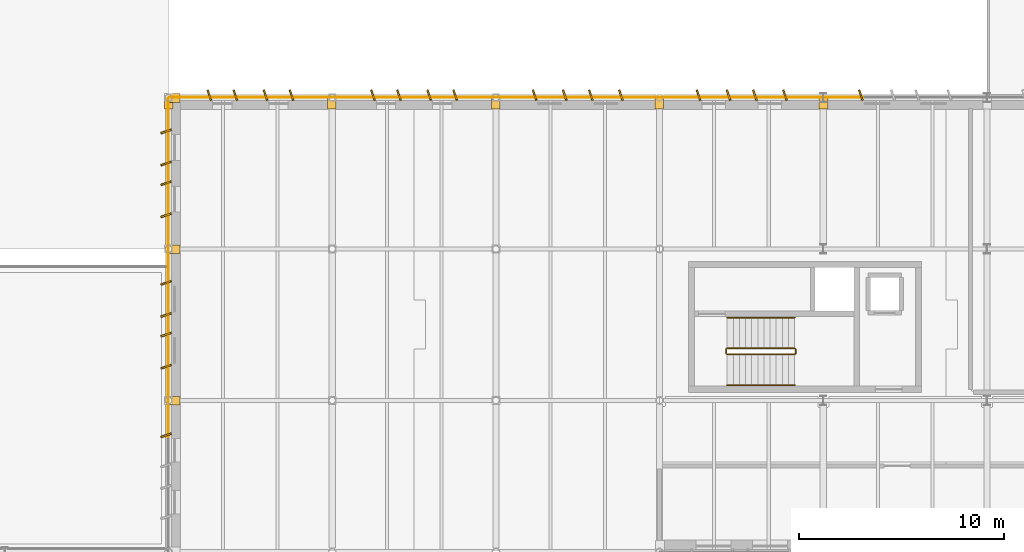
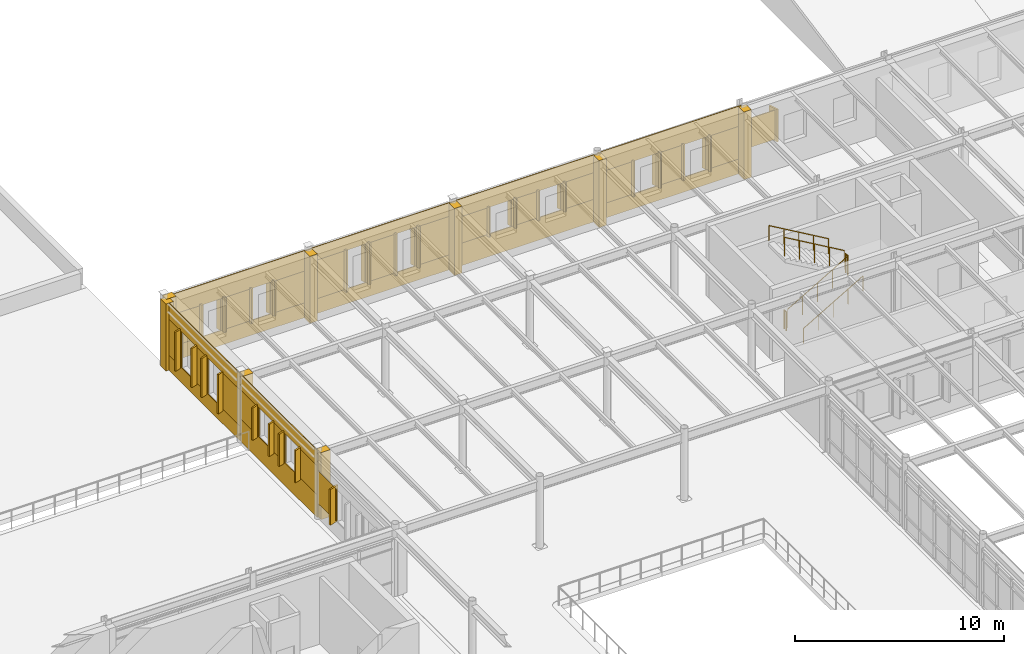
# One storey, part 57 of 63: 66 coverings, 6 railings.
"""IFC4 building model written with IfcOpenShell, lengths in metres."""

from ifc_helpers import new_model, si_unit, direction, frame, frame_2d, origin, origin_2d, place, context, subcontext, project, spatial, rectangle, circle, extrude, material, layer, layer_set, type_object, element, save


model = new_model("IFC4")

# Units and contexts
model_context = context("Model", 3, precision=1e-05, world=origin(), true_north=direction((0.0, 1.0)))
body_context = subcontext(model_context, "Body", "Model", "MODEL_VIEW")
ifc_project = project(units=[si_unit("LENGTHUNIT", "METRE"), si_unit("AREAUNIT", "SQUARE_METRE"), si_unit("VOLUMEUNIT", "CUBIC_METRE"), si_unit("PLANEANGLEUNIT", "RADIAN"), si_unit("MASSUNIT", "GRAM", prefix="KILO")], contexts=[model_context])

# Site, building, storey
site_placement = place(None, origin())
site = spatial("IfcSite", under=ifc_project, at=site_placement, CompositionType="ELEMENT")
building_placement = place(site_placement, origin())
building = spatial("IfcBuilding", under=site, at=building_placement, Name="Valkorina Park Police Headquarters", CompositionType="ELEMENT")
storey_placement = place(building_placement, frame((0.0, 0.0, 9.89990234375)))
storey = spatial("IfcBuildingStorey", under=building, at=storey_placement, Name="L03", CompositionType="ELEMENT", Elevation=9.89990234375)

# Coverings
ifc_material_1 = material(Name="Precast concrete C40/50", Category="concrete")
ifc_layer = layer(ifc_material_1, 0.044921875)
ifc_layer_set = layer_set([ifc_layer], Name="Precast concrete C40/50")
covering_type = type_object("IfcCoveringType", Name="COV-CLAD-DOLOMITE", PredefinedType="CLADDING", material=ifc_layer_set)
covering_1_placement = place(storey_placement, frame((57.090087890625, 66.582275390625, 0.000244140625), z_axis=(0.0, 0.0, 1.0), x_axis=(0.0, 1.0, 0.0)))
element("IfcCovering", 1, at=covering_1_placement, inside=storey, type_object=covering_type, Name="L03 Exterior Joint Closure Pilaster B 1748", PredefinedType="CLADDING", context=body_context, shape_type="SweptSolid", body=[
    extrude(rectangle(XDim=0.419921875, YDim=0.52197265625, at=origin_2d()), origin(), (0.0, 0.0, 1.0), 3.919921875),
])
covering_2_placement = place(storey_placement, frame((56.679931640625, 64.8994140625, 0.7802734375), z_axis=(0.0, 0.0, 1.0), x_axis=(-0.948323655206, -0.317304656405, 0.0)))
element("IfcCovering", 2, at=covering_2_placement, inside=storey, type_object=covering_type, Name="Slanted 18.5-deg Precast Window Slot Fin 1752", PredefinedType="CLADDING", context=body_context, shape_type="SweptSolid", body=[
    extrude(rectangle(XDim=0.5400390625, YDim=0.090087890625, at=origin_2d()), origin(), (0.0, 0.0, 1.0), 2.090087890625),
])
covering_3_placement = place(storey_placement, frame((56.784912109375, 64.789306640625, 0.8701171875), z_axis=(0.0, 0.0, 1.0), x_axis=(0.0, 1.0, 0.0)))
element("IfcCovering", 3, at=covering_3_placement, inside=storey, type_object=covering_type, Name="L03 Calm Concrete Base Slot Pier 1757", PredefinedType="CLADDING", context=body_context, shape_type="SweptSolid", body=[
    extrude(rectangle(XDim=1.790771484375, YDim=0.044921875, at=frame_2d((0.8955078125, 0.0))), origin(), (0.0, 0.0, 1.0), 1.909912109375),
])
covering_4_placement = place(storey_placement, frame((57.090087890625, 73.982177734375, 0.000244140625), z_axis=(0.0, 0.0, 1.0), x_axis=(0.0, 1.0, 0.0)))
element("IfcCovering", 4, at=covering_4_placement, inside=storey, type_object=covering_type, Name="L03 Exterior Joint Closure Pilaster B 1758", PredefinedType="CLADDING", context=body_context, shape_type="SweptSolid", body=[
    extrude(rectangle(XDim=0.419921875, YDim=0.52197265625, at=origin_2d()), origin(), (0.0, 0.0, 1.0), 3.919921875),
])
for number, where, z_axis, x_axis, name in (
    (5, (56.679931640625, 68.25048828125, 1.22998046875), (0.0, 0.0, 1.0), (-0.948323655206, -0.317304656405, 0.0), "Slanted 18.5-deg Precast Window Slot Fin 1759"),
    (6, (56.679931640625, 69.820556640625, 1.22998046875), (0.0, 0.0, 1.0), (-0.948323655206, -0.317304656405, 0.0), "Slanted 18.5-deg Precast Window Slot Fin 1760"),
    (7, (56.679931640625, 70.779296875, 1.22998046875), (0.0, 0.0, 1.0), (-0.948323655206, -0.317304656405, 0.0), "Slanted 18.5-deg Precast Window Slot Fin 1761"),
    (8, (56.679931640625, 72.349365234375, 1.22998046875), (0.0, 0.0, 1.0), (-0.948323655206, -0.317304656405, 0.0), "Slanted 18.5-deg Precast Window Slot Fin 1762"),
):
    element("IfcCovering", number, at=place(storey_placement, frame(where, z_axis=z_axis, x_axis=x_axis)), inside=storey, type_object=covering_type, Name=name, PredefinedType="CLADDING", context=body_context, shape_type="SweptSolid", body=[
        extrude(rectangle(XDim=0.5400390625, YDim=0.090087890625, at=origin_2d()), origin(), (0.0, 0.0, 1.0), 1.889892578125),
    ])
covering_5_placement = place(storey_placement, frame((56.784912109375, 66.6201171875, 0.0), z_axis=(0.0, 0.0, 1.0), x_axis=(0.0, 1.0, 0.0)))
element("IfcCovering", 9, at=covering_5_placement, inside=storey, type_object=covering_type, Name="L03 Calm Concrete Base Sill Spandrel 1763", PredefinedType="CLADDING", context=body_context, shape_type="SweptSolid", body=[
    extrude(rectangle(XDim=7.35986328125, YDim=0.044921875, at=frame_2d((3.679931640625, 0.0))), origin(), (0.0, 0.0, 1.0), 1.320068359375),
])
covering_6_placement = place(storey_placement, frame((56.784912109375, 66.6201171875, 3.030029296875), z_axis=(0.0, 0.0, 1.0), x_axis=(0.0, 1.0, 0.0)))
element("IfcCovering", 10, at=covering_6_placement, inside=storey, type_object=covering_type, Name="L03 Calm Concrete Base Lintel Spandrel 1764", PredefinedType="CLADDING", context=body_context, shape_type="SweptSolid", body=[
    extrude(rectangle(XDim=7.35986328125, YDim=0.044921875, at=frame_2d((3.679931640625, 0.0))), origin(), (0.0, 0.0, 1.0), 0.89013671875),
])
covering_7_placement = place(storey_placement, frame((56.784912109375, 66.6201171875, 1.320068359375), z_axis=(0.0, 0.0, 1.0), x_axis=(0.0, 1.0, 0.0)))
element("IfcCovering", 11, at=covering_7_placement, inside=storey, type_object=covering_type, Name="L03 Calm Concrete Base Slot Pier 1765", PredefinedType="CLADDING", context=body_context, shape_type="SweptSolid", body=[
    extrude(rectangle(XDim=1.740478515625, YDim=0.044921875, at=frame_2d((0.8701171875, 0.0))), origin(), (0.0, 0.0, 1.0), 1.7099609375),
])
covering_8_placement = place(storey_placement, frame((56.784912109375, 69.710693359375, 1.320068359375), z_axis=(0.0, 0.0, 1.0), x_axis=(0.0, 1.0, 0.0)))
element("IfcCovering", 12, at=covering_8_placement, inside=storey, type_object=covering_type, Name="L03 Calm Concrete Base Slot Pier 1766", PredefinedType="CLADDING", context=body_context, shape_type="SweptSolid", body=[
    extrude(rectangle(XDim=1.1787109375, YDim=0.044921875, at=frame_2d((0.58935546875, 0.0))), origin(), (0.0, 0.0, 1.0), 1.7099609375),
])
covering_9_placement = place(storey_placement, frame((56.784912109375, 72.239501953125, 1.320068359375), z_axis=(0.0, 0.0, 1.0), x_axis=(0.0, 1.0, 0.0)))
element("IfcCovering", 13, at=covering_9_placement, inside=storey, type_object=covering_type, Name="L03 Calm Concrete Base Slot Pier 1767", PredefinedType="CLADDING", context=body_context, shape_type="SweptSolid", body=[
    extrude(rectangle(XDim=1.740478515625, YDim=0.044921875, at=frame_2d((0.8701171875, 0.0))), origin(), (0.0, 0.0, 1.0), 1.7099609375),
])
covering_10_placement = place(storey_placement, frame((57.090087890625, 81.382080078125, 0.000244140625), z_axis=(0.0, 0.0, 1.0), x_axis=(0.0, 1.0, 0.0)))
element("IfcCovering", 14, at=covering_10_placement, inside=storey, type_object=covering_type, Name="L03 Exterior Joint Closure Pilaster B 1768", PredefinedType="CLADDING", context=body_context, shape_type="SweptSolid", body=[
    extrude(rectangle(XDim=0.419921875, YDim=0.52197265625, at=origin_2d()), origin(), (0.0, 0.0, 1.0), 3.919921875),
])
for number, where, z_axis, x_axis, name in (
    (15, (56.679931640625, 75.650634765625, 0.780029296875), (0.0, 0.0, 1.0), (-0.948323655206, -0.317304656405, 0.0), "Slanted 18.5-deg Precast Window Slot Fin 1769"),
    (16, (56.679931640625, 77.220703125, 0.780029296875), (0.0, 0.0, 1.0), (-0.948323655206, -0.317304656405, 0.0), "Slanted 18.5-deg Precast Window Slot Fin 1770"),
    (17, (56.679931640625, 78.179443359375, 0.780029296875), (0.0, 0.0, 1.0), (-0.948323655206, -0.317304656405, 0.0), "Slanted 18.5-deg Precast Window Slot Fin 1771"),
    (18, (56.679931640625, 79.74951171875, 0.780029296875), (0.0, 0.0, 1.0), (-0.948323655206, -0.317304656405, 0.0), "Slanted 18.5-deg Precast Window Slot Fin 1772"),
):
    element("IfcCovering", number, at=place(storey_placement, frame(where, z_axis=z_axis, x_axis=x_axis)), inside=storey, type_object=covering_type, Name=name, PredefinedType="CLADDING", context=body_context, shape_type="SweptSolid", body=[
        extrude(rectangle(XDim=0.5400390625, YDim=0.090087890625, at=origin_2d()), origin(), (0.0, 0.0, 1.0), 2.2900390625),
    ])
covering_11_placement = place(storey_placement, frame((56.784912109375, 74.02001953125, 0.0), z_axis=(0.0, 0.0, 1.0), x_axis=(0.0, 1.0, 0.0)))
element("IfcCovering", 19, at=covering_11_placement, inside=storey, type_object=covering_type, Name="L03 Calm Concrete Base Sill Spandrel 1773", PredefinedType="CLADDING", context=body_context, shape_type="SweptSolid", body=[
    extrude(rectangle(XDim=7.35986328125, YDim=0.044921875, at=frame_2d((3.679931640625, 0.0))), origin(), (0.0, 0.0, 1.0), 0.8701171875),
])
covering_12_placement = place(storey_placement, frame((56.784912109375, 74.02001953125, 2.97998046875), z_axis=(0.0, 0.0, 1.0), x_axis=(0.0, 1.0, 0.0)))
element("IfcCovering", 20, at=covering_12_placement, inside=storey, type_object=covering_type, Name="L03 Calm Concrete Base Lintel Spandrel 1774", PredefinedType="CLADDING", context=body_context, shape_type="SweptSolid", body=[
    extrude(rectangle(XDim=7.35986328125, YDim=0.044921875, at=frame_2d((3.679931640625, 0.0))), origin(), (0.0, 0.0, 1.0), 0.940185546875),
])
covering_13_placement = place(storey_placement, frame((56.784912109375, 74.02001953125, 0.8701171875), z_axis=(0.0, 0.0, 1.0), x_axis=(0.0, 1.0, 0.0)))
element("IfcCovering", 21, at=covering_13_placement, inside=storey, type_object=covering_type, Name="L03 Calm Concrete Base Slot Pier 1775", PredefinedType="CLADDING", context=body_context, shape_type="SweptSolid", body=[
    extrude(rectangle(XDim=1.740478515625, YDim=0.044921875, at=frame_2d((0.8701171875, 0.0))), origin(), (0.0, 0.0, 1.0), 2.10986328125),
])
covering_14_placement = place(storey_placement, frame((56.784912109375, 77.110595703125, 0.8701171875), z_axis=(0.0, 0.0, 1.0), x_axis=(0.0, 1.0, 0.0)))
element("IfcCovering", 22, at=covering_14_placement, inside=storey, type_object=covering_type, Name="L03 Calm Concrete Base Slot Pier 1776", PredefinedType="CLADDING", context=body_context, shape_type="SweptSolid", body=[
    extrude(rectangle(XDim=1.1787109375, YDim=0.044921875, at=frame_2d((0.58935546875, 0.0))), origin(), (0.0, 0.0, 1.0), 2.10986328125),
])
covering_15_placement = place(storey_placement, frame((56.784912109375, 79.639404296875, 0.8701171875), z_axis=(0.0, 0.0, 1.0), x_axis=(0.0, 1.0, 0.0)))
element("IfcCovering", 23, at=covering_15_placement, inside=storey, type_object=covering_type, Name="L03 Calm Concrete Base Slot Pier 1777", PredefinedType="CLADDING", context=body_context, shape_type="SweptSolid", body=[
    extrude(rectangle(XDim=1.740478515625, YDim=0.044921875, at=frame_2d((0.8701171875, 0.0))), origin(), (0.0, 0.0, 1.0), 2.10986328125),
])
for number, where, z_axis, x_axis, name in (
    (24, (56.81787109375, 81.110107421875, 0.000244140625), (0.0, 0.0, 1.0), (1.0, 0.0, 0.0), "L03 Exterior Joint Closure Pilaster A 1778"),
    (25, (64.7822265625, 81.110107421875, 0.000244140625), (0.0, 0.0, 1.0), (1.0, 0.0, 0.0), "L03 Exterior Joint Closure Pilaster B 1779"),
):
    element("IfcCovering", number, at=place(storey_placement, frame(where, z_axis=z_axis, x_axis=x_axis)), inside=storey, type_object=covering_type, Name=name, PredefinedType="CLADDING", context=body_context, shape_type="SweptSolid", body=[
        extrude(rectangle(XDim=0.419921875, YDim=0.52197265625, at=origin_2d()), origin(), (0.0, 0.0, 1.0), 3.919921875),
    ])
for number, where, z_axis, x_axis, name in (
    (26, (58.79248046875, 81.52001953125, 0.780029296875), (0.0, 0.0, 1.0), (-0.317304656405, 0.948323655206, 0.0), "Slanted 18.5-deg Precast Window Slot Fin 1780"),
    (27, (60.0625, 81.52001953125, 0.780029296875), (0.0, 0.0, 1.0), (-0.317304656405, 0.948323655206, 0.0), "Slanted 18.5-deg Precast Window Slot Fin 1781"),
    (28, (61.537353515625, 81.52001953125, 0.780029296875), (0.0, 0.0, 1.0), (-0.317304656405, 0.948323655206, 0.0), "Slanted 18.5-deg Precast Window Slot Fin 1782"),
    (29, (62.807373046875, 81.52001953125, 0.780029296875), (0.0, 0.0, 1.0), (-0.317304656405, 0.948323655206, 0.0), "Slanted 18.5-deg Precast Window Slot Fin 1783"),
):
    element("IfcCovering", number, at=place(storey_placement, frame(where, z_axis=z_axis, x_axis=x_axis)), inside=storey, type_object=covering_type, Name=name, PredefinedType="CLADDING", context=body_context, shape_type="SweptSolid", body=[
        extrude(rectangle(XDim=0.5400390625, YDim=0.090087890625, at=origin_2d()), origin(), (0.0, 0.0, 1.0), 2.0400390625),
    ])
covering_16_placement = place(storey_placement, frame((56.820068359375, 81.4150390625, 0.0), z_axis=(0.0, 0.0, 1.0), x_axis=(1.0, 0.0, 0.0)))
element("IfcCovering", 30, at=covering_16_placement, inside=storey, type_object=covering_type, Name="L03 Calm Concrete Base Sill Spandrel 1784", PredefinedType="CLADDING", context=body_context, shape_type="SweptSolid", body=[
    extrude(rectangle(XDim=7.9599609375, YDim=0.044921875, at=frame_2d((3.97998046875, 0.0))), origin(), (0.0, 0.0, 1.0), 0.8701171875),
])
covering_17_placement = place(storey_placement, frame((56.820068359375, 81.4150390625, 2.72998046875), z_axis=(0.0, 0.0, 1.0), x_axis=(1.0, 0.0, 0.0)))
element("IfcCovering", 31, at=covering_17_placement, inside=storey, type_object=covering_type, Name="L03 Calm Concrete Base Lintel Spandrel 1785", PredefinedType="CLADDING", context=body_context, shape_type="SweptSolid", body=[
    extrude(rectangle(XDim=7.9599609375, YDim=0.044921875, at=frame_2d((3.97998046875, 0.0))), origin(), (0.0, 0.0, 1.0), 1.190185546875),
])
covering_18_placement = place(storey_placement, frame((56.820068359375, 81.4150390625, 0.8701171875), z_axis=(0.0, 0.0, 1.0), x_axis=(1.0, 0.0, 0.0)))
element("IfcCovering", 32, at=covering_18_placement, inside=storey, type_object=covering_type, Name="L03 Calm Concrete Base Slot Pier 1786", PredefinedType="CLADDING", context=body_context, shape_type="SweptSolid", body=[
    extrude(rectangle(XDim=2.08251953125, YDim=0.044921875, at=frame_2d((1.041259765625, 0.0))), origin(), (0.0, 0.0, 1.0), 1.85986328125),
])
covering_19_placement = place(storey_placement, frame((59.95263671875, 81.4150390625, 0.8701171875), z_axis=(0.0, 0.0, 1.0), x_axis=(1.0, 0.0, 0.0)))
element("IfcCovering", 33, at=covering_19_placement, inside=storey, type_object=covering_type, Name="L03 Calm Concrete Base Slot Pier 1787", PredefinedType="CLADDING", context=body_context, shape_type="SweptSolid", body=[
    extrude(rectangle(XDim=1.69482421875, YDim=0.044921875, at=frame_2d((0.847412109375, 0.0))), origin(), (0.0, 0.0, 1.0), 1.85986328125),
])
covering_20_placement = place(storey_placement, frame((62.697509765625, 81.4150390625, 0.8701171875), z_axis=(0.0, 0.0, 1.0), x_axis=(1.0, 0.0, 0.0)))
element("IfcCovering", 34, at=covering_20_placement, inside=storey, type_object=covering_type, Name="L03 Calm Concrete Base Slot Pier 1788", PredefinedType="CLADDING", context=body_context, shape_type="SweptSolid", body=[
    extrude(rectangle(XDim=2.08251953125, YDim=0.044921875, at=frame_2d((1.041259765625, 0.0))), origin(), (0.0, 0.0, 1.0), 1.85986328125),
])
covering_21_placement = place(storey_placement, frame((72.7822265625, 81.110107421875, 0.000244140625), z_axis=(0.0, 0.0, 1.0), x_axis=(1.0, 0.0, 0.0)))
element("IfcCovering", 35, at=covering_21_placement, inside=storey, type_object=covering_type, Name="L03 Exterior Joint Closure Pilaster B 1789", PredefinedType="CLADDING", context=body_context, shape_type="SweptSolid", body=[
    extrude(rectangle(XDim=0.419921875, YDim=0.52197265625, at=origin_2d()), origin(), (0.0, 0.0, 1.0), 3.919921875),
])
for number, where, z_axis, x_axis, name in (
    (36, (66.79248046875, 81.52001953125, 0.780029296875), (0.0, 0.0, 1.0), (-0.317304656405, 0.948323655206, 0.0), "Slanted 18.5-deg Precast Window Slot Fin 1790"),
    (37, (68.0625, 81.52001953125, 0.780029296875), (0.0, 0.0, 1.0), (-0.317304656405, 0.948323655206, 0.0), "Slanted 18.5-deg Precast Window Slot Fin 1791"),
    (38, (69.537353515625, 81.52001953125, 0.780029296875), (0.0, 0.0, 1.0), (-0.317304656405, 0.948323655206, 0.0), "Slanted 18.5-deg Precast Window Slot Fin 1792"),
    (39, (70.807373046875, 81.52001953125, 0.780029296875), (0.0, 0.0, 1.0), (-0.317304656405, 0.948323655206, 0.0), "Slanted 18.5-deg Precast Window Slot Fin 1793"),
):
    element("IfcCovering", number, at=place(storey_placement, frame(where, z_axis=z_axis, x_axis=x_axis)), inside=storey, type_object=covering_type, Name=name, PredefinedType="CLADDING", context=body_context, shape_type="SweptSolid", body=[
        extrude(rectangle(XDim=0.5400390625, YDim=0.090087890625, at=origin_2d()), origin(), (0.0, 0.0, 1.0), 2.43994140625),
    ])
covering_22_placement = place(storey_placement, frame((64.820068359375, 81.4150390625, 0.0), z_axis=(0.0, 0.0, 1.0), x_axis=(1.0, 0.0, 0.0)))
element("IfcCovering", 40, at=covering_22_placement, inside=storey, type_object=covering_type, Name="L03 Calm Concrete Base Sill Spandrel 1794", PredefinedType="CLADDING", context=body_context, shape_type="SweptSolid", body=[
    extrude(rectangle(XDim=7.9599609375, YDim=0.044921875, at=frame_2d((3.97998046875, 0.0))), origin(), (0.0, 0.0, 1.0), 0.8701171875),
])
covering_23_placement = place(storey_placement, frame((64.820068359375, 81.4150390625, 3.130126953125), z_axis=(0.0, 0.0, 1.0), x_axis=(1.0, 0.0, 0.0)))
element("IfcCovering", 41, at=covering_23_placement, inside=storey, type_object=covering_type, Name="L03 Calm Concrete Base Lintel Spandrel 1795", PredefinedType="CLADDING", context=body_context, shape_type="SweptSolid", body=[
    extrude(rectangle(XDim=7.9599609375, YDim=0.044921875, at=frame_2d((3.97998046875, 0.0))), origin(), (0.0, 0.0, 1.0), 0.7900390625),
])
covering_24_placement = place(storey_placement, frame((64.820068359375, 81.4150390625, 0.8701171875), z_axis=(0.0, 0.0, 1.0), x_axis=(1.0, 0.0, 0.0)))
element("IfcCovering", 42, at=covering_24_placement, inside=storey, type_object=covering_type, Name="L03 Calm Concrete Base Slot Pier 1796", PredefinedType="CLADDING", context=body_context, shape_type="SweptSolid", body=[
    extrude(rectangle(XDim=2.08251953125, YDim=0.044921875, at=frame_2d((1.041259765625, 0.0))), origin(), (0.0, 0.0, 1.0), 2.260009765625),
])
covering_25_placement = place(storey_placement, frame((67.95263671875, 81.4150390625, 0.8701171875), z_axis=(0.0, 0.0, 1.0), x_axis=(1.0, 0.0, 0.0)))
element("IfcCovering", 43, at=covering_25_placement, inside=storey, type_object=covering_type, Name="L03 Calm Concrete Base Slot Pier 1797", PredefinedType="CLADDING", context=body_context, shape_type="SweptSolid", body=[
    extrude(rectangle(XDim=1.69482421875, YDim=0.044921875, at=frame_2d((0.847412109375, 0.0))), origin(), (0.0, 0.0, 1.0), 2.260009765625),
])
covering_26_placement = place(storey_placement, frame((70.697509765625, 81.4150390625, 0.8701171875), z_axis=(0.0, 0.0, 1.0), x_axis=(1.0, 0.0, 0.0)))
element("IfcCovering", 44, at=covering_26_placement, inside=storey, type_object=covering_type, Name="L03 Calm Concrete Base Slot Pier 1798", PredefinedType="CLADDING", context=body_context, shape_type="SweptSolid", body=[
    extrude(rectangle(XDim=2.08251953125, YDim=0.044921875, at=frame_2d((1.041259765625, 0.0))), origin(), (0.0, 0.0, 1.0), 2.260009765625),
])
covering_27_placement = place(storey_placement, frame((80.7822265625, 81.110107421875, 0.000244140625), z_axis=(0.0, 0.0, 1.0), x_axis=(1.0, 0.0, 0.0)))
element("IfcCovering", 45, at=covering_27_placement, inside=storey, type_object=covering_type, Name="L03 Exterior Joint Closure Pilaster B 1799", PredefinedType="CLADDING", context=body_context, shape_type="SweptSolid", body=[
    extrude(rectangle(XDim=0.419921875, YDim=0.52197265625, at=origin_2d()), origin(), (0.0, 0.0, 1.0), 3.919921875),
])
for number, where, z_axis, x_axis, name in (
    (46, (74.692626953125, 81.52001953125, 1.22998046875), (0.0, 0.0, 1.0), (-0.317304656405, 0.948323655206, 0.0), "Slanted 18.5-deg Precast Window Slot Fin 1800"),
    (47, (76.16259765625, 81.52001953125, 1.22998046875), (0.0, 0.0, 1.0), (-0.317304656405, 0.948323655206, 0.0), "Slanted 18.5-deg Precast Window Slot Fin 1801"),
    (48, (77.4375, 81.52001953125, 1.22998046875), (0.0, 0.0, 1.0), (-0.317304656405, 0.948323655206, 0.0), "Slanted 18.5-deg Precast Window Slot Fin 1802"),
    (49, (78.907470703125, 81.52001953125, 1.22998046875), (0.0, 0.0, 1.0), (-0.317304656405, 0.948323655206, 0.0), "Slanted 18.5-deg Precast Window Slot Fin 1803"),
):
    element("IfcCovering", number, at=place(storey_placement, frame(where, z_axis=z_axis, x_axis=x_axis)), inside=storey, type_object=covering_type, Name=name, PredefinedType="CLADDING", context=body_context, shape_type="SweptSolid", body=[
        extrude(rectangle(XDim=0.5400390625, YDim=0.090087890625, at=origin_2d()), origin(), (0.0, 0.0, 1.0), 1.739990234375),
    ])
covering_28_placement = place(storey_placement, frame((72.820068359375, 81.4150390625, 0.0), z_axis=(0.0, 0.0, 1.0), x_axis=(1.0, 0.0, 0.0)))
element("IfcCovering", 50, at=covering_28_placement, inside=storey, type_object=covering_type, Name="L03 Calm Concrete Base Sill Spandrel 1804", PredefinedType="CLADDING", context=body_context, shape_type="SweptSolid", body=[
    extrude(rectangle(XDim=7.9599609375, YDim=0.044921875, at=frame_2d((3.97998046875, 0.0))), origin(), (0.0, 0.0, 1.0), 1.320068359375),
])
covering_29_placement = place(storey_placement, frame((72.820068359375, 81.4150390625, 2.880126953125), z_axis=(0.0, 0.0, 1.0), x_axis=(1.0, 0.0, 0.0)))
element("IfcCovering", 51, at=covering_29_placement, inside=storey, type_object=covering_type, Name="L03 Calm Concrete Base Lintel Spandrel 1805", PredefinedType="CLADDING", context=body_context, shape_type="SweptSolid", body=[
    extrude(rectangle(XDim=7.9599609375, YDim=0.044921875, at=frame_2d((3.97998046875, 0.0))), origin(), (0.0, 0.0, 1.0), 1.0400390625),
])
covering_30_placement = place(storey_placement, frame((72.820068359375, 81.4150390625, 1.320068359375), z_axis=(0.0, 0.0, 1.0), x_axis=(1.0, 0.0, 0.0)))
element("IfcCovering", 52, at=covering_30_placement, inside=storey, type_object=covering_type, Name="L03 Calm Concrete Base Slot Pier 1806", PredefinedType="CLADDING", context=body_context, shape_type="SweptSolid", body=[
    extrude(rectangle(XDim=1.982421875, YDim=0.044921875, at=frame_2d((0.9912109375, 0.0))), origin(), (0.0, 0.0, 1.0), 1.56005859375),
])
covering_31_placement = place(storey_placement, frame((76.052490234375, 81.4150390625, 1.320068359375), z_axis=(0.0, 0.0, 1.0), x_axis=(1.0, 0.0, 0.0)))
element("IfcCovering", 53, at=covering_31_placement, inside=storey, type_object=covering_type, Name="L03 Calm Concrete Base Slot Pier 1807", PredefinedType="CLADDING", context=body_context, shape_type="SweptSolid", body=[
    extrude(rectangle(XDim=1.494873046875, YDim=0.044921875, at=frame_2d((0.74755859375, 0.0))), origin(), (0.0, 0.0, 1.0), 1.56005859375),
])
covering_32_placement = place(storey_placement, frame((78.79736328125, 81.4150390625, 1.320068359375), z_axis=(0.0, 0.0, 1.0), x_axis=(1.0, 0.0, 0.0)))
element("IfcCovering", 54, at=covering_32_placement, inside=storey, type_object=covering_type, Name="L03 Calm Concrete Base Slot Pier 1808", PredefinedType="CLADDING", context=body_context, shape_type="SweptSolid", body=[
    extrude(rectangle(XDim=1.982666015625, YDim=0.044921875, at=frame_2d((0.9912109375, 0.0))), origin(), (0.0, 0.0, 1.0), 1.56005859375),
])
covering_33_placement = place(storey_placement, frame((88.81005859375, 81.110107421875, 0.0), z_axis=(0.0, 0.0, 1.0), x_axis=(1.0, 0.0, 0.0)))
element("IfcCovering", 55, at=covering_33_placement, inside=storey, type_object=covering_type, Name="L03 Exterior Joint Closure Pilaster B 1809", PredefinedType="CLADDING", context=body_context, shape_type="SweptSolid", body=[
    extrude(rectangle(XDim=0.419921875, YDim=0.52197265625, at=origin_2d()), origin(), (0.0, 0.0, 1.0), 3.955078125),
])
for number, where, z_axis, x_axis, name in (
    (56, (82.701416015625, 81.52001953125, 0.7802734375), (0.0, 0.0, 1.0), (-0.317304656405, 0.948323655206, 0.0), "Slanted 18.5-deg Precast Window Slot Fin 1810"),
    (57, (84.17138671875, 81.52001953125, 0.7802734375), (0.0, 0.0, 1.0), (-0.317304656405, 0.948323655206, 0.0), "Slanted 18.5-deg Precast Window Slot Fin 1811"),
    (58, (85.456298828125, 81.52001953125, 0.7802734375), (0.0, 0.0, 1.0), (-0.317304656405, 0.948323655206, 0.0), "Slanted 18.5-deg Precast Window Slot Fin 1812"),
    (59, (86.92626953125, 81.52001953125, 0.7802734375), (0.0, 0.0, 1.0), (-0.317304656405, 0.948323655206, 0.0), "Slanted 18.5-deg Precast Window Slot Fin 1813"),
):
    element("IfcCovering", number, at=place(storey_placement, frame(where, z_axis=z_axis, x_axis=x_axis)), inside=storey, type_object=covering_type, Name=name, PredefinedType="CLADDING", context=body_context, shape_type="SweptSolid", body=[
        extrude(rectangle(XDim=0.5400390625, YDim=0.090087890625, at=origin_2d()), origin(), (0.0, 0.0, 1.0), 2.090087890625),
    ])
covering_34_placement = place(storey_placement, frame((80.820068359375, 81.4150390625, 0.0), z_axis=(0.0, 0.0, 1.0), x_axis=(1.0, 0.0, 0.0)))
element("IfcCovering", 60, at=covering_34_placement, inside=storey, type_object=covering_type, Name="L03 Calm Concrete Base Sill Spandrel 1814", PredefinedType="CLADDING", context=body_context, shape_type="SweptSolid", body=[
    extrude(rectangle(XDim=7.9599609375, YDim=0.044921875, at=frame_2d((3.97998046875, 0.0))), origin(), (0.0, 0.0, 1.0), 0.8701171875),
])
covering_35_placement = place(storey_placement, frame((80.820068359375, 81.4150390625, 2.780029296875), z_axis=(0.0, 0.0, 1.0), x_axis=(1.0, 0.0, 0.0)))
element("IfcCovering", 61, at=covering_35_placement, inside=storey, type_object=covering_type, Name="L03 Calm Concrete Base Lintel Spandrel 1815", PredefinedType="CLADDING", context=body_context, shape_type="SweptSolid", body=[
    extrude(rectangle(XDim=7.9599609375, YDim=0.044921875, at=frame_2d((3.97998046875, 0.0))), origin(), (0.0, 0.0, 1.0), 1.175048828125),
])
covering_36_placement = place(storey_placement, frame((80.820068359375, 81.4150390625, 0.8701171875), z_axis=(0.0, 0.0, 1.0), x_axis=(1.0, 0.0, 0.0)))
element("IfcCovering", 62, at=covering_36_placement, inside=storey, type_object=covering_type, Name="L03 Calm Concrete Base Slot Pier 1816", PredefinedType="CLADDING", context=body_context, shape_type="SweptSolid", body=[
    extrude(rectangle(XDim=1.991455078125, YDim=0.044921875, at=frame_2d((0.99560546875, 0.0))), origin(), (0.0, 0.0, 1.0), 1.909912109375),
])
covering_37_placement = place(storey_placement, frame((84.0615234375, 81.4150390625, 0.8701171875), z_axis=(0.0, 0.0, 1.0), x_axis=(1.0, 0.0, 0.0)))
element("IfcCovering", 63, at=covering_37_placement, inside=storey, type_object=covering_type, Name="L03 Calm Concrete Base Slot Pier 1817", PredefinedType="CLADDING", context=body_context, shape_type="SweptSolid", body=[
    extrude(rectangle(XDim=1.5048828125, YDim=0.044921875, at=frame_2d((0.75244140625, 0.0))), origin(), (0.0, 0.0, 1.0), 1.909912109375),
])
covering_38_placement = place(storey_placement, frame((86.81640625, 81.4150390625, 0.8701171875), z_axis=(0.0, 0.0, 1.0), x_axis=(1.0, 0.0, 0.0)))
element("IfcCovering", 64, at=covering_38_placement, inside=storey, type_object=covering_type, Name="L03 Calm Concrete Base Slot Pier 1818", PredefinedType="CLADDING", context=body_context, shape_type="SweptSolid", body=[
    extrude(rectangle(XDim=1.963623046875, YDim=0.044921875, at=frame_2d((0.98193359375, 0.0))), origin(), (0.0, 0.0, 1.0), 1.909912109375),
])
covering_39_placement = place(storey_placement, frame((90.632568359375, 81.52001953125, 1.22998046875), z_axis=(0.0, 0.0, 1.0), x_axis=(-0.317304656405, 0.948323655206, 0.0)))
element("IfcCovering", 65, at=covering_39_placement, inside=storey, type_object=covering_type, Name="Slanted 18.5-deg Precast Window Slot Fin 1820", PredefinedType="CLADDING", context=body_context, shape_type="SweptSolid", body=[
    extrude(rectangle(XDim=0.5400390625, YDim=0.090087890625, at=origin_2d()), origin(), (0.0, 0.0, 1.0), 1.889892578125),
])
covering_40_placement = place(storey_placement, frame((88.820068359375, 81.4150390625, 1.320068359375), z_axis=(0.0, 0.0, 1.0), x_axis=(1.0, 0.0, 0.0)))
element("IfcCovering", 66, at=covering_40_placement, inside=storey, type_object=covering_type, Name="L03 Calm Concrete Base Slot Pier 1826", PredefinedType="CLADDING", context=body_context, shape_type="SweptSolid", body=[
    extrude(rectangle(XDim=1.922607421875, YDim=0.044921875, at=frame_2d((0.96142578125, 0.0))), origin(), (0.0, 0.0, 1.0), 1.7099609375),
])

# Railings
ifc_material_2 = material(Name="Stainless steel EN 1.4404", Category="steel")
railing_type_1 = type_object("IfcRailingType", Name="RL-GUARD-INT-1100", PredefinedType="BALUSTRADE", material=ifc_material_2)
railing_1_placement = place(storey_placement, frame((84.10009765625, 68.85009765625, 0.175048828125)))
element("IfcRailing", 67, at=railing_1_placement, inside=storey, type_object=railing_type_1, Name="L03 Core C6 Stair Guard 1", PredefinedType="BALUSTRADE", context=body_context, shape_type="SweptSolid", body=[
    extrude(circle(Radius=0.02392578125, at=origin_2d()), frame((0.0, 0.0, 1.09619140625), z_axis=(0.863760357493, 0.0, 0.503902812876), x_axis=(0.0, 1.0, 0.0)), (0.0, 0.0, 1.0), 3.8203125),
    extrude(circle(Radius=0.02099609375, at=origin_2d()), origin(), (0.0, 0.0, 1.0), 1.072021484375),
    extrude(circle(Radius=0.02099609375, at=origin_2d()), frame((0.824951171875, 0.0, 0.481201171875)), (0.0, 0.0, 1.0), 1.072021484375),
    extrude(circle(Radius=0.02099609375, at=origin_2d()), frame((1.64990234375, 0.0, 0.96240234375)), (0.0, 0.0, 1.0), 1.072021484375),
    extrude(circle(Radius=0.02099609375, at=origin_2d()), frame((2.474853515625, 0.0, 1.44384765625)), (0.0, 0.0, 1.0), 1.072021484375),
    extrude(circle(Radius=0.02099609375, at=origin_2d()), frame((3.2998046875, 0.0, 1.925048828125)), (0.0, 0.0, 1.0), 1.072021484375),
])
railing_2_placement = place(storey_placement, frame((87.449951171875, 68.89990234375, 2.10009765625)))
element("IfcRailing", 68, at=railing_2_placement, inside=storey, type_object=railing_type_1, Name="L03 Core C6 Stair Guard 2", PredefinedType="BALUSTRADE", context=body_context, shape_type="SweptSolid", body=[
    extrude(circle(Radius=0.02392578125, at=origin_2d()), frame((0.0, 0.0, 1.09619140625), z_axis=(0.0, 1.0, 0.0), x_axis=(-1.0, 0.0, 0.0)), (0.0, 0.0, 1.0), 0.2001953125),
    extrude(circle(Radius=0.02099609375, at=origin_2d()), origin(), (0.0, 0.0, 1.0), 1.072021484375),
    extrude(circle(Radius=0.02099609375, at=origin_2d()), frame((0.0, 0.2001953125, 0.0)), (0.0, 0.0, 1.0), 1.072021484375),
])
railing_3_placement = place(storey_placement, frame((87.39990234375, 69.14990234375, 2.275146484375)))
element("IfcRailing", 69, at=railing_3_placement, inside=storey, type_object=railing_type_1, Name="L03 Core C6 Stair Guard 3", PredefinedType="BALUSTRADE", context=body_context, shape_type="SweptSolid", body=[
    extrude(circle(Radius=0.02392578125, at=origin_2d()), frame((0.0, 0.0, 1.09619140625), z_axis=(-0.863760357493, 0.0, 0.503902812876), x_axis=(0.0, -1.0, 0.0)), (0.0, 0.0, 1.0), 3.8203125),
    extrude(circle(Radius=0.02099609375, at=origin_2d()), origin(), (0.0, 0.0, 1.0), 1.072021484375),
    extrude(circle(Radius=0.02099609375, at=origin_2d()), frame((-0.824951171875, 0.0, 0.481201171875)), (0.0, 0.0, 1.0), 1.072021484375),
    extrude(circle(Radius=0.02099609375, at=origin_2d()), frame((-1.64990234375, 0.0, 0.96240234375)), (0.0, 0.0, 1.0), 1.072021484375),
    extrude(circle(Radius=0.02099609375, at=origin_2d()), frame((-2.474853515625, 0.0, 1.44384765625)), (0.0, 0.0, 1.0), 1.072021484375),
    extrude(circle(Radius=0.02099609375, at=origin_2d()), frame((-3.2998046875, 0.0, 1.925048828125)), (0.0, 0.0, 1.0), 1.072021484375),
])
railing_4_placement = place(storey_placement, frame((84.050048828125, 68.89990234375, 0.0)))
element("IfcRailing", 70, at=railing_4_placement, inside=storey, type_object=railing_type_1, Name="L03 Core C6 Stair Guard 4", PredefinedType="BALUSTRADE", context=body_context, shape_type="SweptSolid", body=[
    extrude(circle(Radius=0.02392578125, at=origin_2d()), frame((0.0, 0.0, 1.09619140625), z_axis=(0.0, 1.0, 0.0), x_axis=(-1.0, 0.0, 0.0)), (0.0, 0.0, 1.0), 0.2001953125),
    extrude(circle(Radius=0.02099609375, at=origin_2d()), origin(), (0.0, 0.0, 1.0), 1.072021484375),
    extrude(circle(Radius=0.02099609375, at=origin_2d()), frame((0.0, 0.2001953125, 0.0)), (0.0, 0.0, 1.0), 1.072021484375),
])
railing_type_2 = type_object("IfcRailingType", Name="RL-HANDRAIL-900", PredefinedType="HANDRAIL", material=ifc_material_2)
railing_5_placement = place(storey_placement, frame((84.10009765625, 67.35009765625, 0.175048828125)))
element("IfcRailing", 71, at=railing_5_placement, inside=storey, type_object=railing_type_2, Name="L03 Core C6 Stair Handrail 1", PredefinedType="HANDRAIL", context=body_context, shape_type="SweptSolid", body=[
    extrude(circle(Radius=0.02392578125, at=origin_2d()), frame((0.0, 0.0, 0.8759765625), z_axis=(0.863760357493, 0.0, 0.503902812876), x_axis=(0.0, 1.0, 0.0)), (0.0, 0.0, 1.0), 3.8203125),
    extrude(circle(Radius=0.02099609375, at=origin_2d()), origin(), (0.0, 0.0, 1.0), 0.851806640625),
    extrude(circle(Radius=0.02099609375, at=origin_2d()), frame((0.824951171875, 0.0, 0.481201171875)), (0.0, 0.0, 1.0), 0.851806640625),
    extrude(circle(Radius=0.02099609375, at=origin_2d()), frame((1.64990234375, 0.0, 0.96240234375)), (0.0, 0.0, 1.0), 0.851806640625),
    extrude(circle(Radius=0.02099609375, at=origin_2d()), frame((2.474853515625, 0.0, 1.44384765625)), (0.0, 0.0, 1.0), 0.851806640625),
    extrude(circle(Radius=0.02099609375, at=origin_2d()), frame((3.2998046875, 0.0, 1.925048828125)), (0.0, 0.0, 1.0), 0.851806640625),
])
railing_6_placement = place(storey_placement, frame((87.39990234375, 70.64990234375, 2.275146484375)))
element("IfcRailing", 72, at=railing_6_placement, inside=storey, type_object=railing_type_2, Name="L03 Core C6 Stair Handrail 2", PredefinedType="HANDRAIL", context=body_context, shape_type="SweptSolid", body=[
    extrude(circle(Radius=0.02392578125, at=origin_2d()), frame((0.0, 0.0, 0.8759765625), z_axis=(-0.863760357493, 0.0, 0.503902812876), x_axis=(0.0, -1.0, 0.0)), (0.0, 0.0, 1.0), 3.8203125),
    extrude(circle(Radius=0.02099609375, at=origin_2d()), origin(), (0.0, 0.0, 1.0), 0.851806640625),
    extrude(circle(Radius=0.02099609375, at=origin_2d()), frame((-0.824951171875, 0.0, 0.481201171875)), (0.0, 0.0, 1.0), 0.851806640625),
    extrude(circle(Radius=0.02099609375, at=origin_2d()), frame((-1.64990234375, 0.0, 0.96240234375)), (0.0, 0.0, 1.0), 0.851806640625),
    extrude(circle(Radius=0.02099609375, at=origin_2d()), frame((-2.474853515625, 0.0, 1.44384765625)), (0.0, 0.0, 1.0), 0.851806640625),
    extrude(circle(Radius=0.02099609375, at=origin_2d()), frame((-3.2998046875, 0.0, 1.925048828125)), (0.0, 0.0, 1.0), 0.851806640625),
])

save(model, "model.ifc")
